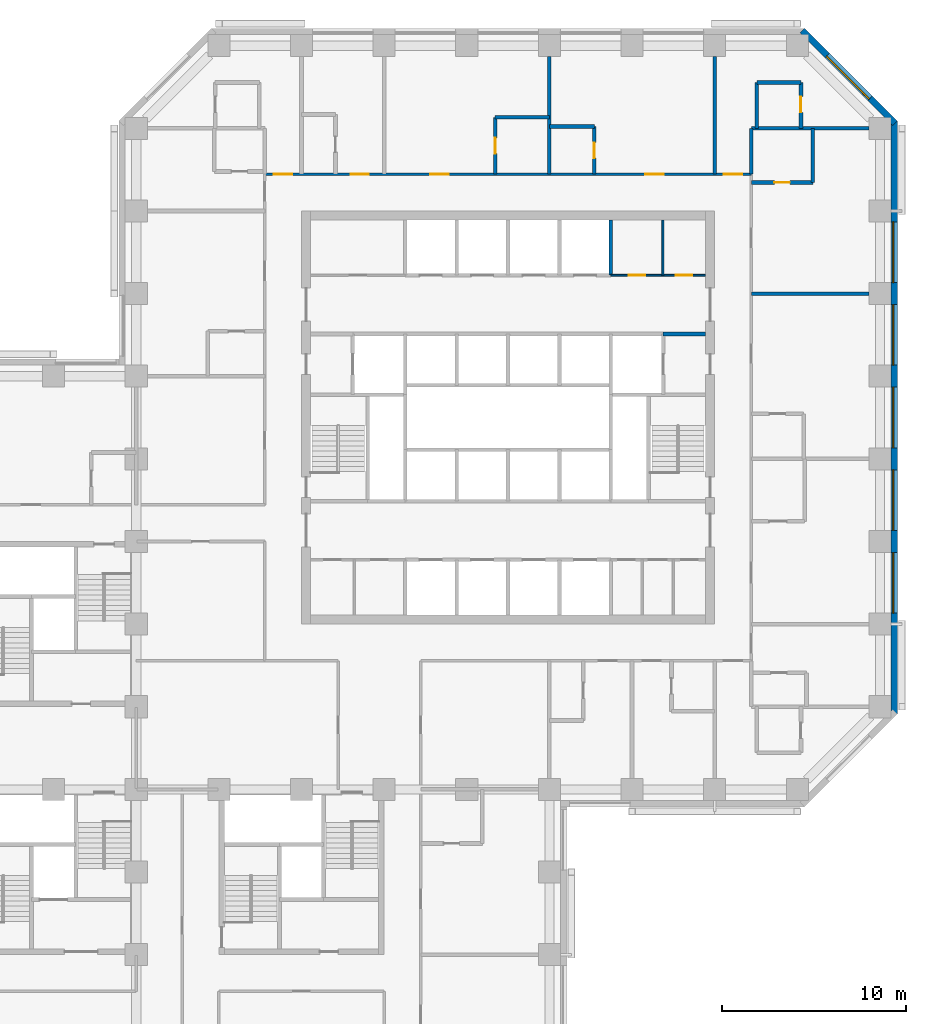
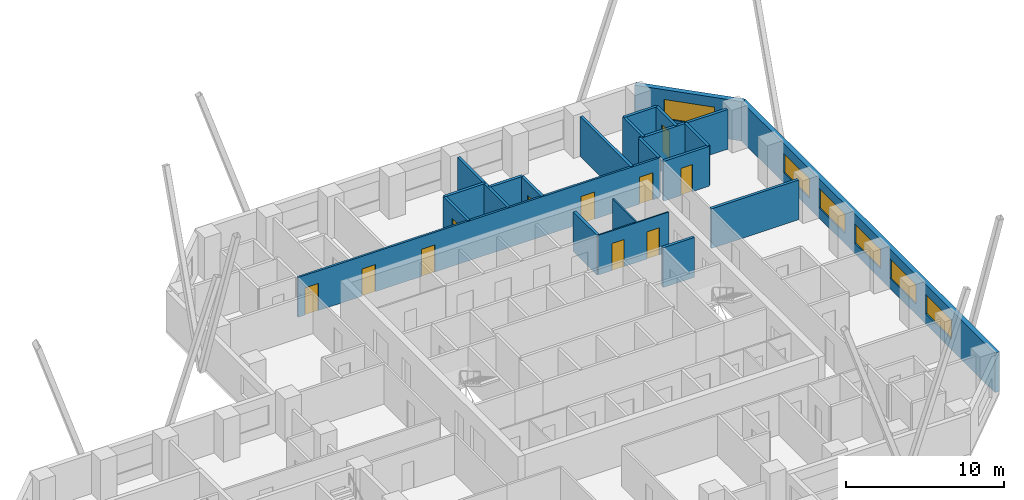
# One storey, part 10 of 13: 21 walls, 11 doors, 6 windows, 17 openings.
"""IFC4 building model written with IfcOpenShell, lengths in metres."""

from ifc_helpers import new_model, si_unit, direction, frame, frame_2d, origin, place, context, subcontext, project, spatial, rectangle, extrude, material, layer, layer_set, constituent, constituent_set, type_object, element, fill, save


model = new_model("IFC4")

# Units and contexts
model_context = context("Model", 3, precision=1e-05, world=origin(), true_north=direction((0.0, 1.0)))
body_context = subcontext(model_context, "Body", "Model", "MODEL_VIEW")
ifc_project = project(units=[si_unit("LENGTHUNIT", "METRE"), si_unit("AREAUNIT", "SQUARE_METRE"), si_unit("VOLUMEUNIT", "CUBIC_METRE"), si_unit("PLANEANGLEUNIT", "RADIAN"), si_unit("MASSUNIT", "GRAM", prefix="KILO")], contexts=[model_context])

# Site, building, storey
site_placement = place(None, origin())
site = spatial("IfcSite", under=ifc_project, at=site_placement, CompositionType="ELEMENT")
building_placement = place(site_placement, origin())
building = spatial("IfcBuilding", under=site, at=building_placement, Name="Quoin Convention Tower", CompositionType="ELEMENT")
storey_placement = place(building_placement, frame((0.0, 0.0, 26.39990234375)))
storey = spatial("IfcBuildingStorey", under=building, at=storey_placement, Name="L05", CompositionType="ELEMENT", Elevation=26.39990234375)

# Wall, openings, windows
ifc_material_1 = material(Name="Brick masonry", Category="masonry")
ifc_layer_1 = layer(ifc_material_1, 0.35009765625)
ifc_layer_set_1 = layer_set([ifc_layer_1], Name="Brick masonry")
wall_type_1 = type_object("IfcWallType", Name="Brick facade wall", PredefinedType="STANDARD", material=ifc_layer_set_1)
wall_1_placement = place(storey_placement, frame((77.27490234375, 44.6064453125, 0.0), z_axis=(0.0, 0.0, 1.0), x_axis=(0.0, 1.0, 0.0)))
wall_1 = element("IfcWall", 1, at=wall_1_placement, inside=storey, type_object=wall_type_1, Name="fw-L05-76500_45000", PredefinedType="STANDARD", context=body_context, shape_type="SweptSolid", body=[
    extrude(rectangle(XDim=32.287109375, YDim=0.35009765625, at=frame_2d((16.1435546875, 0.0))), origin(), (0.0, 0.0, 1.0), 3.05517578125),
])
opening_1_placement = place(wall_1_placement, frame((5.493408203125, 0.0, 0.800048828125)))
opening_1 = element("IfcOpeningElement", 2, at=opening_1_placement, cuts=wall_1, Name="Opening W-01", PredefinedType="OPENING", context=body_context, shape_type="SweptSolid", body=[
    extrude(rectangle(XDim=3.300048828125, YDim=1.5, at=frame_2d((1.64990234375, 0.75))), frame((0.0, 0.18505859375, 0.0), z_axis=(0.0, -1.0, 0.0), x_axis=(1.0, 0.0, 0.0)), (0.0, 0.0, 1.0), 0.3701171875),
])
opening_2_placement = place(wall_1_placement, frame((9.993408203125, 0.0, 0.800048828125)))
opening_2 = element("IfcOpeningElement", 3, at=opening_2_placement, cuts=wall_1, Name="Opening W-01", PredefinedType="OPENING", context=body_context, shape_type="SweptSolid", body=[
    extrude(rectangle(XDim=3.300048828125, YDim=1.5, at=frame_2d((1.64990234375, 0.75))), frame((0.0, 0.18505859375, 0.0), z_axis=(0.0, -1.0, 0.0), x_axis=(1.0, 0.0, 0.0)), (0.0, 0.0, 1.0), 0.3701171875),
])
opening_3_placement = place(wall_1_placement, frame((14.493408203125, 0.0, 0.800048828125)))
opening_3 = element("IfcOpeningElement", 4, at=opening_3_placement, cuts=wall_1, Name="Opening W-01", PredefinedType="OPENING", context=body_context, shape_type="SweptSolid", body=[
    extrude(rectangle(XDim=3.300048828125, YDim=1.5, at=frame_2d((1.64990234375, 0.75))), frame((0.0, 0.18505859375, 0.0), z_axis=(0.0, -1.0, 0.0), x_axis=(1.0, 0.0, 0.0)), (0.0, 0.0, 1.0), 0.3701171875),
])
opening_4_placement = place(wall_1_placement, frame((18.993408203125, 0.0, 0.800048828125)))
opening_4 = element("IfcOpeningElement", 5, at=opening_4_placement, cuts=wall_1, Name="Opening W-01", PredefinedType="OPENING", context=body_context, shape_type="SweptSolid", body=[
    extrude(rectangle(XDim=3.300048828125, YDim=1.5, at=frame_2d((1.64990234375, 0.75))), frame((0.0, 0.18505859375, 0.0), z_axis=(0.0, -1.0, 0.0), x_axis=(1.0, 0.0, 0.0)), (0.0, 0.0, 1.0), 0.3701171875),
])
opening_5_placement = place(wall_1_placement, frame((23.493408203125, 0.0, 0.800048828125)))
opening_5 = element("IfcOpeningElement", 6, at=opening_5_placement, cuts=wall_1, Name="Opening W-01", PredefinedType="OPENING", context=body_context, shape_type="SweptSolid", body=[
    extrude(rectangle(XDim=3.300048828125, YDim=1.5, at=frame_2d((1.64990234375, 0.75))), frame((0.0, 0.18505859375, 0.0), z_axis=(0.0, -1.0, 0.0), x_axis=(1.0, 0.0, 0.0)), (0.0, 0.0, 1.0), 0.3701171875),
])
ifc_material_2 = material(Name="Aluminium", Category="aluminium")
ifc_constituent_1 = constituent(ifc_material_2, Name="Frame")
ifc_material_3 = material(Name="Insulated glass", Category="glass")
ifc_constituent_2 = constituent(ifc_material_3, Name="Glazing")
ifc_constituent_set = constituent_set(constituents=[ifc_constituent_1, ifc_constituent_2], Name="Aluminium")
window_type = type_object("IfcWindowType", Name="Hotel strip window", PartitioningType="DOUBLE_PANEL_VERTICAL", PredefinedType="WINDOW", material=ifc_constituent_set)
window_1_placement = place(opening_1_placement, origin())
window_1 = element("IfcWindow", 7, at=window_1_placement, inside=storey, type_object=window_type, Name="win-L05-77275_51750", OverallHeight=1.5, OverallWidth=3.300048828125, PartitioningType="SINGLE_PANEL", PredefinedType="WINDOW", context=body_context, shape_type="SweptSolid", body=[
    extrude(rectangle(XDim=3.300048828125, YDim=1.5, at=frame_2d((1.64990234375, 0.75))), frame((0.0, 0.0849609375, 0.0), z_axis=(0.0, -1.0, 0.0), x_axis=(1.0, 0.0, 0.0)), (0.0, 0.0, 1.0), 0.06005859375),
])
fill(opening_1, window_1)
window_2_placement = place(opening_2_placement, origin())
window_2 = element("IfcWindow", 8, at=window_2_placement, inside=storey, type_object=window_type, Name="win-L05-77275_56250", OverallHeight=1.5, OverallWidth=3.300048828125, PartitioningType="SINGLE_PANEL", PredefinedType="WINDOW", context=body_context, shape_type="SweptSolid", body=[
    extrude(rectangle(XDim=3.300048828125, YDim=1.5, at=frame_2d((1.64990234375, 0.75))), frame((0.0, 0.0849609375, 0.0), z_axis=(0.0, -1.0, 0.0), x_axis=(1.0, 0.0, 0.0)), (0.0, 0.0, 1.0), 0.06005859375),
])
fill(opening_2, window_2)
window_3_placement = place(opening_3_placement, origin())
window_3 = element("IfcWindow", 9, at=window_3_placement, inside=storey, type_object=window_type, Name="win-L05-77275_60750", OverallHeight=1.5, OverallWidth=3.300048828125, PartitioningType="SINGLE_PANEL", PredefinedType="WINDOW", context=body_context, shape_type="SweptSolid", body=[
    extrude(rectangle(XDim=3.300048828125, YDim=1.5, at=frame_2d((1.64990234375, 0.75))), frame((0.0, 0.0849609375, 0.0), z_axis=(0.0, -1.0, 0.0), x_axis=(1.0, 0.0, 0.0)), (0.0, 0.0, 1.0), 0.06005859375),
])
fill(opening_3, window_3)
window_4_placement = place(opening_4_placement, origin())
window_4 = element("IfcWindow", 10, at=window_4_placement, inside=storey, type_object=window_type, Name="win-L05-77275_65250", OverallHeight=1.5, OverallWidth=3.300048828125, PartitioningType="SINGLE_PANEL", PredefinedType="WINDOW", context=body_context, shape_type="SweptSolid", body=[
    extrude(rectangle(XDim=3.300048828125, YDim=1.5, at=frame_2d((1.64990234375, 0.75))), frame((0.0, 0.0849609375, 0.0), z_axis=(0.0, -1.0, 0.0), x_axis=(1.0, 0.0, 0.0)), (0.0, 0.0, 1.0), 0.06005859375),
])
fill(opening_4, window_4)
window_5_placement = place(opening_5_placement, origin())
window_5 = element("IfcWindow", 11, at=window_5_placement, inside=storey, type_object=window_type, Name="win-L05-77275_69750", OverallHeight=1.5, OverallWidth=3.300048828125, PartitioningType="SINGLE_PANEL", PredefinedType="WINDOW", context=body_context, shape_type="SweptSolid", body=[
    extrude(rectangle(XDim=3.300048828125, YDim=1.5, at=frame_2d((1.64990234375, 0.75))), frame((0.0, 0.0849609375, 0.0), z_axis=(0.0, -1.0, 0.0), x_axis=(1.0, 0.0, 0.0)), (0.0, 0.0, 1.0), 0.06005859375),
])
fill(opening_5, window_5)

# Wall, opening, window
wall_2_placement = place(storey_placement, frame((77.326416015625, 76.769775390625, 0.0), z_axis=(0.0, 0.0, 1.0), x_axis=(-0.707106781187, 0.707106781187, 0.0)))
wall_2 = element("IfcWall", 12, at=wall_2_placement, inside=storey, type_object=wall_type_1, Name="fw-L05-76500_76500", PredefinedType="STANDARD", context=body_context, shape_type="SweptSolid", body=[
    extrude(rectangle(XDim=7.151123046875, YDim=0.35009765625, at=frame_2d((3.57568359375, 0.0))), origin(), (0.0, 0.0, 1.0), 3.05517578125),
])
opening_6_placement = place(wall_2_placement, frame((1.925537109375, 0.0, 0.800048828125)))
opening_6 = element("IfcOpeningElement", 13, at=opening_6_placement, cuts=wall_2, Name="Opening W-01", PredefinedType="OPENING", context=body_context, shape_type="SweptSolid", body=[
    extrude(rectangle(XDim=3.300048828125, YDim=1.5, at=frame_2d((1.64990234375, 0.75))), frame((0.0, 0.18505859375, 0.0), z_axis=(0.0, -1.0, 0.0), x_axis=(1.0, 0.0, 0.0)), (0.0, 0.0, 1.0), 0.3701171875),
])
window_6_placement = place(opening_6_placement, origin())
window_6 = element("IfcWindow", 14, at=window_6_placement, inside=storey, type_object=window_type, Name="win-L05-74798_79298", OverallHeight=1.5, OverallWidth=3.300048828125, PartitioningType="SINGLE_PANEL", PredefinedType="WINDOW", context=body_context, shape_type="SweptSolid", body=[
    extrude(rectangle(XDim=3.300048828125, YDim=1.5, at=frame_2d((1.64990234375, 0.75))), frame((0.0, 0.0849609375, 0.0), z_axis=(0.0, -1.0, 0.0), x_axis=(1.0, 0.0, 0.0)), (0.0, 0.0, 1.0), 0.06005859375),
])
fill(opening_6, window_6)

# Wall, openings, doors
ifc_material_4 = material(Name="Plasterboard")
ifc_layer_2 = layer(ifc_material_4, 0.012451171875, Name="Finish")
ifc_material_5 = material(Name="Steel stud framing", Category="steel")
ifc_layer_3 = layer(ifc_material_5, 0.074951171875, Name="Structure")
ifc_layer_4 = layer(ifc_material_4, 0.012451171875, Name="Finish")
ifc_layer_set_2 = layer_set([ifc_layer_2, ifc_layer_3, ifc_layer_4], Name="Steel stud framing")
wall_type_2 = type_object("IfcWallType", Name="Core partition wall", PredefinedType="PARTITIONING", material=ifc_layer_set_2)
wall_3_placement = place(storey_placement, frame((61.85009765625, 68.5, 0.0), z_axis=(0.0, 0.0, 1.0), x_axis=(1.0, 0.0, 0.0)))
wall_3 = element("IfcWall", 15, at=wall_3_placement, inside=storey, type_object=wall_type_2, Name="cr-C1-L05-h19000_16850", PredefinedType="PARTITIONING", context=body_context, shape_type="SweptSolid", body=[
    extrude(rectangle(XDim=5.14990234375, YDim=0.10009765625, at=frame_2d((2.574951171875, 0.0))), origin(), (0.0, 0.0, 1.0), 3.080078125),
])
opening_7_placement = place(wall_3_placement, frame((3.541259765625, 0.0, 0.0)))
opening_7 = element("IfcOpeningElement", 16, at=opening_7_placement, cuts=wall_3, Name="Opening DCV2-03", PredefinedType="OPENING", context=body_context, shape_type="SweptSolid", body=[
    extrude(rectangle(XDim=0.89990234375, YDim=2.10009765625, at=frame_2d((0.449951171875, 1.050048828125))), frame((0.0, 0.06005859375, 0.0), z_axis=(0.0, -1.0, 0.0), x_axis=(1.0, 0.0, 0.0)), (0.0, 0.0, 1.0), 0.1201171875),
])
opening_8_placement = place(wall_3_placement, frame((0.96630859375, 0.0, 0.0)))
opening_8 = element("IfcOpeningElement", 17, at=opening_8_placement, cuts=wall_3, Name="Opening DCV2-01", PredefinedType="OPENING", context=body_context, shape_type="SweptSolid", body=[
    extrude(rectangle(XDim=0.89990234375, YDim=2.10009765625, at=frame_2d((0.449951171875, 1.050048828125))), frame((0.0, 0.06005859375, 0.0), z_axis=(0.0, -1.0, 0.0), x_axis=(1.0, 0.0, 0.0)), (0.0, 0.0, 1.0), 0.1201171875),
])
ifc_material_6 = material(Name="Steel door leaf", Category="steel")
door_type_1 = type_object("IfcDoorType", Name="Core room door 900 x 2100", OperationType="SINGLE_SWING_LEFT", PredefinedType="DOOR", material=ifc_material_6)
door_1_placement = place(opening_7_placement, origin())
door_1 = element("IfcDoor", 18, at=door_1_placement, inside=storey, type_object=door_type_1, Name="cd-C1-L05-CNE0-lobB-CD0507", OperationType="SINGLE_SWING_RIGHT", OverallHeight=2.10009765625, OverallWidth=0.89990234375, PredefinedType="DOOR", context=body_context, shape_type="SweptSolid", body=[
    extrude(rectangle(XDim=0.89990234375, YDim=2.10009765625, at=frame_2d((0.449951171875, 1.050048828125))), frame((0.0, 0.02490234375, 0.0), z_axis=(0.0, -1.0, 0.0), x_axis=(1.0, 0.0, 0.0)), (0.0, 0.0, 1.0), 0.050048828125),
])
fill(opening_7, door_1)
door_2_placement = place(opening_8_placement, origin())
door_2 = element("IfcDoor", 19, at=door_2_placement, inside=storey, type_object=door_type_1, Name="cd-C1-L05-CNE1-lobB-CD0508", OperationType="SINGLE_SWING_LEFT", OverallHeight=2.10009765625, OverallWidth=0.89990234375, PredefinedType="DOOR", context=body_context, shape_type="SweptSolid", body=[
    extrude(rectangle(XDim=0.89990234375, YDim=2.10009765625, at=frame_2d((0.449951171875, 1.050048828125))), frame((0.0, 0.02490234375, 0.0), z_axis=(0.0, -1.0, 0.0), x_axis=(1.0, 0.0, 0.0)), (0.0, 0.0, 1.0), 0.050048828125),
])
fill(opening_8, door_2)

# Walls
wall_4_placement = place(storey_placement, frame((64.6826171875, 68.5, 0.0), z_axis=(0.0, 0.0, 1.0), x_axis=(0.0, 1.0, 0.0)))
element("IfcWall", 20, at=wall_4_placement, inside=storey, type_object=wall_type_2, Name="cr-C1-L05-v19682_19000", PredefinedType="PARTITIONING", context=body_context, shape_type="SweptSolid", body=[
    extrude(rectangle(XDim=3.0, YDim=0.10009765625, at=frame_2d((1.5, 0.0))), origin(), (0.0, 0.0, 1.0), 3.080078125),
])
ifc_material_7 = material(Name="Concrete C50", Category="concrete")
ifc_layer_5 = layer(ifc_material_7, 0.199951171875)
ifc_layer_set_3 = layer_set([ifc_layer_5], Name="Concrete C50")
wall_type_3 = type_object("IfcWallType", Name="Core shaft wall", PredefinedType="SOLIDWALL", material=ifc_layer_set_3)
wall_5_placement = place(storey_placement, frame((64.699951171875, 65.300048828125, 0.0), z_axis=(0.0, 0.0, 1.0), x_axis=(1.0, 0.0, 0.0)))
element("IfcWall", 21, at=wall_5_placement, inside=storey, type_object=wall_type_3, Name="cr-C1-L05-h15800_19700", PredefinedType="SOLIDWALL", context=body_context, shape_type="SweptSolid", body=[
    extrude(rectangle(XDim=2.300048828125, YDim=0.199951171875, at=frame_2d((1.14990234375, 0.0))), origin(), (0.0, 0.0, 1.0), 3.080078125),
])
wall_6_placement = place(storey_placement, frame((61.85009765625, 68.5, 0.0), z_axis=(0.0, 0.0, 1.0), x_axis=(0.0, 1.0, 0.0)))
element("IfcWall", 22, at=wall_6_placement, inside=storey, type_object=wall_type_3, Name="cr-C1-L05-v16850_19000", PredefinedType="SOLIDWALL", context=body_context, shape_type="SweptSolid", body=[
    extrude(rectangle(XDim=3.0, YDim=0.199951171875, at=frame_2d((1.5, 0.0))), origin(), (0.0, 0.0, 1.0), 3.080078125),
])
ifc_layer_6 = layer(ifc_material_7, 0.199951171875)
ifc_layer_set_4 = layer_set([ifc_layer_6], Name="Concrete C50")
wall_type_4 = type_object("IfcWallType", Name="RC party wall", PredefinedType="SOLIDWALL", material=ifc_layer_set_4)
wall_7_placement = place(storey_placement, frame((69.5, 67.5, 0.0), z_axis=(0.0, 0.0, 1.0), x_axis=(1.0, 0.0, 0.0)))
element("IfcWall", 23, at=wall_7_placement, inside=storey, type_object=wall_type_4, Name="pw-L05-117", PredefinedType="SOLIDWALL", context=body_context, shape_type="SweptSolid", body=[
    extrude(rectangle(XDim=6.39990234375, YDim=0.199951171875, at=frame_2d((3.199951171875, 0.0))), origin(), (0.0, 0.0, 1.0), 3.080078125),
])

# Wall, opening, door
wall_8_placement = place(storey_placement, frame((69.5, 73.550048828125, 0.0), z_axis=(0.0, 0.0, 1.0), x_axis=(1.0, 0.0, 0.0)))
wall_8 = element("IfcWall", 24, at=wall_8_placement, inside=storey, type_object=wall_type_4, Name="pw-L05-119", PredefinedType="SOLIDWALL", context=body_context, shape_type="SweptSolid", body=[
    extrude(rectangle(XDim=3.35009765625, YDim=0.199951171875, at=frame_2d((1.675048828125, 0.0))), origin(), (0.0, 0.0, 1.0), 3.080078125),
])
opening_9_placement = place(wall_8_placement, frame((1.25, 0.0, 0.0)))
opening_9 = element("IfcOpeningElement", 25, at=opening_9_placement, cuts=wall_8, Name="Opening DHOTEL-A-60", PredefinedType="OPENING", context=body_context, shape_type="SweptSolid", body=[
    extrude(rectangle(XDim=0.85009765625, YDim=2.10009765625, at=frame_2d((0.425048828125, 1.050048828125))), frame((0.0, 0.10986328125, 0.0), z_axis=(0.0, -1.0, 0.0), x_axis=(1.0, 0.0, 0.0)), (0.0, 0.0, 1.0), 0.219970703125),
])
door_type_2 = type_object("IfcDoorType", Name="Bathroom door", OperationType="SINGLE_SWING_LEFT", PredefinedType="DOOR", material=ifc_material_6)
door_3_placement = place(opening_9_placement, frame((0.85009765625, 0.0, 0.0), z_axis=(0.0, 0.0, 1.0), x_axis=(-1.0, 0.0, 0.0)))
door_3 = element("IfcDoor", 26, at=door_3_placement, inside=storey, type_object=door_type_2, Name="dr-L05-042", OperationType="SINGLE_SWING_RIGHT", OverallHeight=2.10009765625, OverallWidth=0.85009765625, PredefinedType="DOOR", context=body_context, shape_type="SweptSolid", body=[
    extrude(rectangle(XDim=0.85009765625, YDim=2.10009765625, at=frame_2d((0.425048828125, 1.050048828125))), frame((0.0, 0.02490234375, 0.0), z_axis=(0.0, -1.0, 0.0), x_axis=(1.0, 0.0, 0.0)), (0.0, 0.0, 1.0), 0.050048828125),
])
fill(opening_9, door_3)

# Wall
wall_9_placement = place(storey_placement, frame((72.85009765625, 73.550048828125, 0.0), z_axis=(0.0, 0.0, 1.0), x_axis=(0.0, 1.0, 0.0)))
element("IfcWall", 27, at=wall_9_placement, inside=storey, type_object=wall_type_4, Name="pw-L05-120", PredefinedType="SOLIDWALL", context=body_context, shape_type="SweptSolid", body=[
    extrude(rectangle(XDim=2.949951171875, YDim=0.199951171875, at=frame_2d((1.47509765625, 0.0))), origin(), (0.0, 0.0, 1.0), 3.080078125),
])

# Wall, opening, door
wall_10_placement = place(storey_placement, frame((55.550048828125, 74.0, 0.0), z_axis=(0.0, 0.0, 1.0), x_axis=(0.0, 1.0, 0.0)))
wall_10 = element("IfcWall", 28, at=wall_10_placement, inside=storey, type_object=wall_type_4, Name="pw-L05-125", PredefinedType="SOLIDWALL", context=body_context, shape_type="SweptSolid", body=[
    extrude(rectangle(XDim=3.10009765625, YDim=0.199951171875, at=frame_2d((1.550048828125, 0.0))), origin(), (0.0, 0.0, 1.0), 3.080078125),
])
opening_10_placement = place(wall_10_placement, frame((1.125, 0.0, 0.0)))
opening_10 = element("IfcOpeningElement", 29, at=opening_10_placement, cuts=wall_10, Name="Opening DHOTEL-A-62", PredefinedType="OPENING", context=body_context, shape_type="SweptSolid", body=[
    extrude(rectangle(XDim=0.85009765625, YDim=2.10009765625, at=frame_2d((0.425048828125, 1.050048828125))), frame((0.0, 0.10986328125, 0.0), z_axis=(0.0, -1.0, 0.0), x_axis=(1.0, 0.0, 0.0)), (0.0, 0.0, 1.0), 0.219970703125),
])
door_4_placement = place(opening_10_placement, origin())
door_4 = element("IfcDoor", 30, at=door_4_placement, inside=storey, type_object=door_type_2, Name="dr-L05-038", OperationType="SINGLE_SWING_LEFT", OverallHeight=2.10009765625, OverallWidth=0.85009765625, PredefinedType="DOOR", context=body_context, shape_type="SweptSolid", body=[
    extrude(rectangle(XDim=0.85009765625, YDim=2.10009765625, at=frame_2d((0.425048828125, 1.050048828125))), frame((0.0, 0.02490234375, 0.0), z_axis=(0.0, -1.0, 0.0), x_axis=(1.0, 0.0, 0.0)), (0.0, 0.0, 1.0), 0.050048828125),
])
fill(opening_10, door_4)

# Wall
wall_11_placement = place(storey_placement, frame((58.5, 74.0, 0.0), z_axis=(0.0, 0.0, 1.0), x_axis=(0.0, 1.0, 0.0)))
element("IfcWall", 31, at=wall_11_placement, inside=storey, type_object=wall_type_4, Name="pw-L05-126", PredefinedType="SOLIDWALL", context=body_context, shape_type="SweptSolid", body=[
    extrude(rectangle(XDim=6.39990234375, YDim=0.199951171875, at=frame_2d((3.199951171875, 0.0))), origin(), (0.0, 0.0, 1.0), 3.080078125),
])

# Wall, opening, door
wall_12_placement = place(storey_placement, frame((60.949951171875, 74.0, 0.0), z_axis=(0.0, 0.0, 1.0), x_axis=(0.0, 1.0, 0.0)))
wall_12 = element("IfcWall", 32, at=wall_12_placement, inside=storey, type_object=wall_type_4, Name="pw-L05-127", PredefinedType="SOLIDWALL", context=body_context, shape_type="SweptSolid", body=[
    extrude(rectangle(XDim=2.60009765625, YDim=0.199951171875, at=frame_2d((1.300048828125, 0.0))), origin(), (0.0, 0.0, 1.0), 3.080078125),
])
opening_11_placement = place(wall_12_placement, frame((0.875, 0.0, 0.0)))
opening_11 = element("IfcOpeningElement", 33, at=opening_11_placement, cuts=wall_12, Name="Opening DHOTEL-A-63", PredefinedType="OPENING", context=body_context, shape_type="SweptSolid", body=[
    extrude(rectangle(XDim=0.85009765625, YDim=2.10009765625, at=frame_2d((0.425048828125, 1.050048828125))), frame((0.0, 0.10986328125, 0.0), z_axis=(0.0, -1.0, 0.0), x_axis=(1.0, 0.0, 0.0)), (0.0, 0.0, 1.0), 0.219970703125),
])
door_5_placement = place(opening_11_placement, frame((0.85009765625, 0.0, 0.0), z_axis=(0.0, 0.0, 1.0), x_axis=(-1.0, 0.0, 0.0)))
door_5 = element("IfcDoor", 34, at=door_5_placement, inside=storey, type_object=door_type_2, Name="dr-L05-040", OperationType="SINGLE_SWING_RIGHT", OverallHeight=2.10009765625, OverallWidth=0.85009765625, PredefinedType="DOOR", context=body_context, shape_type="SweptSolid", body=[
    extrude(rectangle(XDim=0.85009765625, YDim=2.10009765625, at=frame_2d((0.425048828125, 1.050048828125))), frame((0.0, 0.02490234375, 0.0), z_axis=(0.0, -1.0, 0.0), x_axis=(1.0, 0.0, 0.0)), (0.0, 0.0, 1.0), 0.050048828125),
])
fill(opening_11, door_5)

# Walls
wall_13_placement = place(storey_placement, frame((67.5, 74.0, 0.0), z_axis=(0.0, 0.0, 1.0), x_axis=(0.0, 1.0, 0.0)))
element("IfcWall", 35, at=wall_13_placement, inside=storey, type_object=wall_type_4, Name="pw-L05-128", PredefinedType="SOLIDWALL", context=body_context, shape_type="SweptSolid", body=[
    extrude(rectangle(XDim=6.39990234375, YDim=0.199951171875, at=frame_2d((3.199951171875, 0.0))), origin(), (0.0, 0.0, 1.0), 3.080078125),
])
wall_14_placement = place(storey_placement, frame((69.5, 74.0, 0.0), z_axis=(0.0, 0.0, 1.0), x_axis=(0.0, 1.0, 0.0)))
element("IfcWall", 36, at=wall_14_placement, inside=storey, type_object=wall_type_4, Name="pw-L05-129", PredefinedType="SOLIDWALL", context=body_context, shape_type="SweptSolid", body=[
    extrude(rectangle(XDim=2.5, YDim=0.199951171875, at=frame_2d((1.25, 0.0))), origin(), (0.0, 0.0, 1.0), 3.080078125),
])
wall_15_placement = place(storey_placement, frame((69.5, 76.5, 0.0), z_axis=(0.0, 0.0, 1.0), x_axis=(1.0, 0.0, 0.0)))
element("IfcWall", 37, at=wall_15_placement, inside=storey, type_object=wall_type_4, Name="pw-L05-135", PredefinedType="SOLIDWALL", context=body_context, shape_type="SweptSolid", body=[
    extrude(rectangle(XDim=6.39990234375, YDim=0.199951171875, at=frame_2d((3.199951171875, 0.0))), origin(), (0.0, 0.0, 1.0), 3.080078125),
])
wall_16_placement = place(storey_placement, frame((69.800048828125, 76.5, 0.0), z_axis=(0.0, 0.0, 1.0), x_axis=(0.0, 1.0, 0.0)))
element("IfcWall", 38, at=wall_16_placement, inside=storey, type_object=wall_type_4, Name="pw-L05-136", PredefinedType="SOLIDWALL", context=body_context, shape_type="SweptSolid", body=[
    extrude(rectangle(XDim=2.5, YDim=0.199951171875, at=frame_2d((1.25, 0.0))), origin(), (0.0, 0.0, 1.0), 3.080078125),
])

# Wall, opening, door
wall_17_placement = place(storey_placement, frame((72.199951171875, 76.5, 0.0), z_axis=(0.0, 0.0, 1.0), x_axis=(0.0, 1.0, 0.0)))
wall_17 = element("IfcWall", 39, at=wall_17_placement, inside=storey, type_object=wall_type_4, Name="pw-L05-137", PredefinedType="SOLIDWALL", context=body_context, shape_type="SweptSolid", body=[
    extrude(rectangle(XDim=2.5, YDim=0.199951171875, at=frame_2d((1.25, 0.0))), origin(), (0.0, 0.0, 1.0), 3.080078125),
])
opening_12_placement = place(wall_17_placement, frame((0.875, 0.0, 0.0)))
opening_12 = element("IfcOpeningElement", 40, at=opening_12_placement, cuts=wall_17, Name="Opening DHOTEL-A-66", PredefinedType="OPENING", context=body_context, shape_type="SweptSolid", body=[
    extrude(rectangle(XDim=0.85009765625, YDim=2.10009765625, at=frame_2d((0.425048828125, 1.050048828125))), frame((0.0, 0.10986328125, 0.0), z_axis=(0.0, -1.0, 0.0), x_axis=(1.0, 0.0, 0.0)), (0.0, 0.0, 1.0), 0.219970703125),
])
door_6_placement = place(opening_12_placement, frame((0.85009765625, 0.0, 0.0), z_axis=(0.0, 0.0, 1.0), x_axis=(-1.0, 0.0, 0.0)))
door_6 = element("IfcDoor", 41, at=door_6_placement, inside=storey, type_object=door_type_2, Name="dr-L05-062", OperationType="SINGLE_SWING_LEFT", OverallHeight=2.10009765625, OverallWidth=0.85009765625, PredefinedType="DOOR", context=body_context, shape_type="SweptSolid", body=[
    extrude(rectangle(XDim=0.85009765625, YDim=2.10009765625, at=frame_2d((0.425048828125, 1.050048828125))), frame((0.0, 0.02490234375, 0.0), z_axis=(0.0, -1.0, 0.0), x_axis=(1.0, 0.0, 0.0)), (0.0, 0.0, 1.0), 0.050048828125),
])
fill(opening_12, door_6)

# Walls
wall_18_placement = place(storey_placement, frame((58.5, 76.60009765625, 0.0), z_axis=(0.0, 0.0, 1.0), x_axis=(1.0, 0.0, 0.0)))
element("IfcWall", 42, at=wall_18_placement, inside=storey, type_object=wall_type_4, Name="pw-L05-138", PredefinedType="SOLIDWALL", context=body_context, shape_type="SweptSolid", body=[
    extrude(rectangle(XDim=2.449951171875, YDim=0.199951171875, at=frame_2d((1.22509765625, 0.0))), origin(), (0.0, 0.0, 1.0), 3.080078125),
])
wall_19_placement = place(storey_placement, frame((55.550048828125, 77.10009765625, 0.0), z_axis=(0.0, 0.0, 1.0), x_axis=(1.0, 0.0, 0.0)))
element("IfcWall", 43, at=wall_19_placement, inside=storey, type_object=wall_type_4, Name="pw-L05-139", PredefinedType="SOLIDWALL", context=body_context, shape_type="SweptSolid", body=[
    extrude(rectangle(XDim=2.949951171875, YDim=0.199951171875, at=frame_2d((1.47509765625, 0.0))), origin(), (0.0, 0.0, 1.0), 3.080078125),
])
wall_20_placement = place(storey_placement, frame((69.800048828125, 79.0, 0.0), z_axis=(0.0, 0.0, 1.0), x_axis=(1.0, 0.0, 0.0)))
element("IfcWall", 44, at=wall_20_placement, inside=storey, type_object=wall_type_4, Name="pw-L05-142", PredefinedType="SOLIDWALL", context=body_context, shape_type="SweptSolid", body=[
    extrude(rectangle(XDim=2.39990234375, YDim=0.199951171875, at=frame_2d((1.199951171875, 0.0))), origin(), (0.0, 0.0, 1.0), 3.080078125),
])

# Wall, openings, doors
ifc_layer_7 = layer(ifc_material_4, 0.012451171875, Name="Finish")
ifc_layer_8 = layer(ifc_material_5, 0.125, Name="Structure")
ifc_layer_9 = layer(ifc_material_4, 0.012451171875, Name="Finish")
ifc_layer_set_5 = layer_set([ifc_layer_7, ifc_layer_8, ifc_layer_9], Name="Steel stud framing")
wall_type_5 = type_object("IfcWallType", Name="corridor partition", PredefinedType="PARTITIONING", material=ifc_layer_set_5)
wall_21_placement = place(storey_placement, frame((43.0, 74.0, 0.0), z_axis=(0.0, 0.0, 1.0), x_axis=(1.0, 0.0, 0.0)))
wall_21 = element("IfcWall", 45, at=wall_21_placement, inside=storey, type_object=wall_type_5, Name="pw-L05-036", PredefinedType="PARTITIONING", context=body_context, shape_type="SweptSolid", body=[
    extrude(rectangle(XDim=26.5, YDim=0.14990234375, at=frame_2d((13.25, 0.0))), origin(), (0.0, 0.0, 1.0), 3.080078125),
])
opening_13_placement = place(wall_21_placement, frame((4.675048828125, 0.0, 0.0)))
opening_13 = element("IfcOpeningElement", 46, at=opening_13_placement, cuts=wall_21, Name="Opening DHOTEL-A-35", PredefinedType="OPENING", context=body_context, shape_type="SweptSolid", body=[
    extrude(rectangle(XDim=1.0, YDim=2.10009765625, at=frame_2d((0.5, 1.050048828125))), frame((0.0, 0.0849609375, 0.0), z_axis=(0.0, -1.0, 0.0), x_axis=(1.0, 0.0, 0.0)), (0.0, 0.0, 1.0), 0.169921875),
])
opening_14_placement = place(wall_21_placement, frame((9.02490234375, 0.0, 0.0)))
opening_14 = element("IfcOpeningElement", 47, at=opening_14_placement, cuts=wall_21, Name="Opening DHOTEL-A-36", PredefinedType="OPENING", context=body_context, shape_type="SweptSolid", body=[
    extrude(rectangle(XDim=1.0, YDim=2.10009765625, at=frame_2d((0.5, 1.050048828125))), frame((0.0, 0.0849609375, 0.0), z_axis=(0.0, -1.0, 0.0), x_axis=(1.0, 0.0, 0.0)), (0.0, 0.0, 1.0), 0.169921875),
])
opening_15_placement = place(wall_21_placement, frame((20.72509765625, 0.0, 0.0)))
opening_15 = element("IfcOpeningElement", 48, at=opening_15_placement, cuts=wall_21, Name="Opening DHOTEL-A-37", PredefinedType="OPENING", context=body_context, shape_type="SweptSolid", body=[
    extrude(rectangle(XDim=1.0, YDim=2.10009765625, at=frame_2d((0.5, 1.050048828125))), frame((0.0, 0.0849609375, 0.0), z_axis=(0.0, -1.0, 0.0), x_axis=(1.0, 0.0, 0.0)), (0.0, 0.0, 1.0), 0.169921875),
])
opening_16_placement = place(wall_21_placement, frame((0.5, 0.0, 0.0)))
opening_16 = element("IfcOpeningElement", 49, at=opening_16_placement, cuts=wall_21, Name="Opening DHOTEL-A-34", PredefinedType="OPENING", context=body_context, shape_type="SweptSolid", body=[
    extrude(rectangle(XDim=1.0, YDim=2.10009765625, at=frame_2d((0.5, 1.050048828125))), frame((0.0, 0.0849609375, 0.0), z_axis=(0.0, -1.0, 0.0), x_axis=(1.0, 0.0, 0.0)), (0.0, 0.0, 1.0), 0.169921875),
])
opening_17_placement = place(wall_21_placement, frame((25.0, 0.0, 0.0)))
opening_17 = element("IfcOpeningElement", 50, at=opening_17_placement, cuts=wall_21, Name="Opening DHOTEL-A-38", PredefinedType="OPENING", context=body_context, shape_type="SweptSolid", body=[
    extrude(rectangle(XDim=1.0, YDim=2.10009765625, at=frame_2d((0.5, 1.050048828125))), frame((0.0, 0.0849609375, 0.0), z_axis=(0.0, -1.0, 0.0), x_axis=(1.0, 0.0, 0.0)), (0.0, 0.0, 1.0), 0.169921875),
])
door_type_3 = type_object("IfcDoorType", Name="Hotel room door", OperationType="SINGLE_SWING_LEFT", PredefinedType="DOOR", material=ifc_material_6)
door_7_placement = place(opening_13_placement, origin())
door_7 = element("IfcDoor", 51, at=door_7_placement, inside=storey, type_object=door_type_3, Name="dr-L05-035", OperationType="SINGLE_SWING_RIGHT", OverallHeight=2.10009765625, OverallWidth=1.0, PredefinedType="DOOR", context=body_context, shape_type="SweptSolid", body=[
    extrude(rectangle(XDim=1.0, YDim=2.10009765625, at=frame_2d((0.5, 1.050048828125))), frame((0.0, 0.02490234375, 0.0), z_axis=(0.0, -1.0, 0.0), x_axis=(1.0, 0.0, 0.0)), (0.0, 0.0, 1.0), 0.050048828125),
])
fill(opening_13, door_7)
door_8_placement = place(opening_14_placement, origin())
door_8 = element("IfcDoor", 52, at=door_8_placement, inside=storey, type_object=door_type_3, Name="dr-L05-037", OperationType="SINGLE_SWING_RIGHT", OverallHeight=2.10009765625, OverallWidth=1.0, PredefinedType="DOOR", context=body_context, shape_type="SweptSolid", body=[
    extrude(rectangle(XDim=1.0, YDim=2.10009765625, at=frame_2d((0.5, 1.050048828125))), frame((0.0, 0.02490234375, 0.0), z_axis=(0.0, -1.0, 0.0), x_axis=(1.0, 0.0, 0.0)), (0.0, 0.0, 1.0), 0.050048828125),
])
fill(opening_14, door_8)
door_9_placement = place(opening_15_placement, origin())
door_9 = element("IfcDoor", 53, at=door_9_placement, inside=storey, type_object=door_type_3, Name="dr-L05-039", OperationType="SINGLE_SWING_RIGHT", OverallHeight=2.10009765625, OverallWidth=1.0, PredefinedType="DOOR", context=body_context, shape_type="SweptSolid", body=[
    extrude(rectangle(XDim=1.0, YDim=2.10009765625, at=frame_2d((0.5, 1.050048828125))), frame((0.0, 0.02490234375, 0.0), z_axis=(0.0, -1.0, 0.0), x_axis=(1.0, 0.0, 0.0)), (0.0, 0.0, 1.0), 0.050048828125),
])
fill(opening_15, door_9)
door_10_placement = place(opening_16_placement, origin())
door_10 = element("IfcDoor", 54, at=door_10_placement, inside=storey, type_object=door_type_3, Name="dr-L05-059", OperationType="SINGLE_SWING_RIGHT", OverallHeight=2.10009765625, OverallWidth=1.0, PredefinedType="DOOR", context=body_context, shape_type="SweptSolid", body=[
    extrude(rectangle(XDim=1.0, YDim=2.10009765625, at=frame_2d((0.5, 1.050048828125))), frame((0.0, 0.02490234375, 0.0), z_axis=(0.0, -1.0, 0.0), x_axis=(1.0, 0.0, 0.0)), (0.0, 0.0, 1.0), 0.050048828125),
])
fill(opening_16, door_10)
door_11_placement = place(opening_17_placement, origin())
door_11 = element("IfcDoor", 55, at=door_11_placement, inside=storey, type_object=door_type_3, Name="dr-L05-061", OperationType="SINGLE_SWING_RIGHT", OverallHeight=2.10009765625, OverallWidth=1.0, PredefinedType="DOOR", context=body_context, shape_type="SweptSolid", body=[
    extrude(rectangle(XDim=1.0, YDim=2.10009765625, at=frame_2d((0.5, 1.050048828125))), frame((0.0, 0.02490234375, 0.0), z_axis=(0.0, -1.0, 0.0), x_axis=(1.0, 0.0, 0.0)), (0.0, 0.0, 1.0), 0.050048828125),
])
fill(opening_17, door_11)

save(model, "model.ifc")
